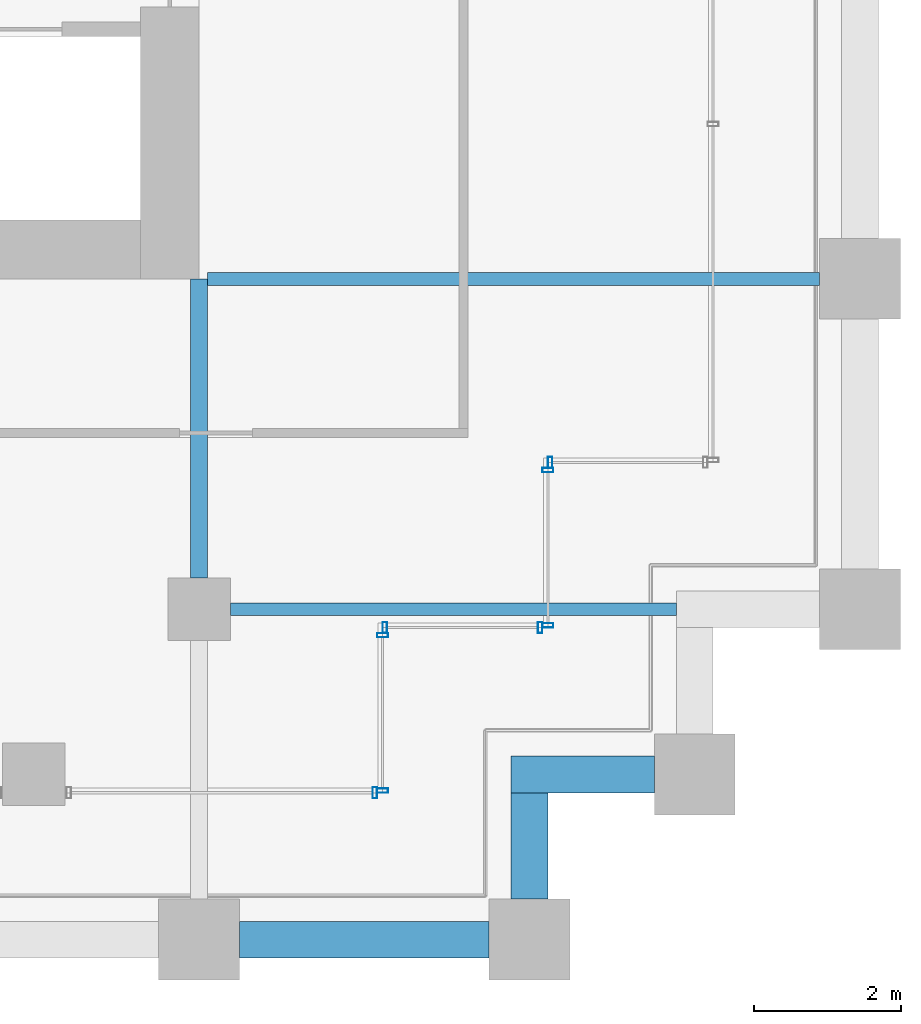
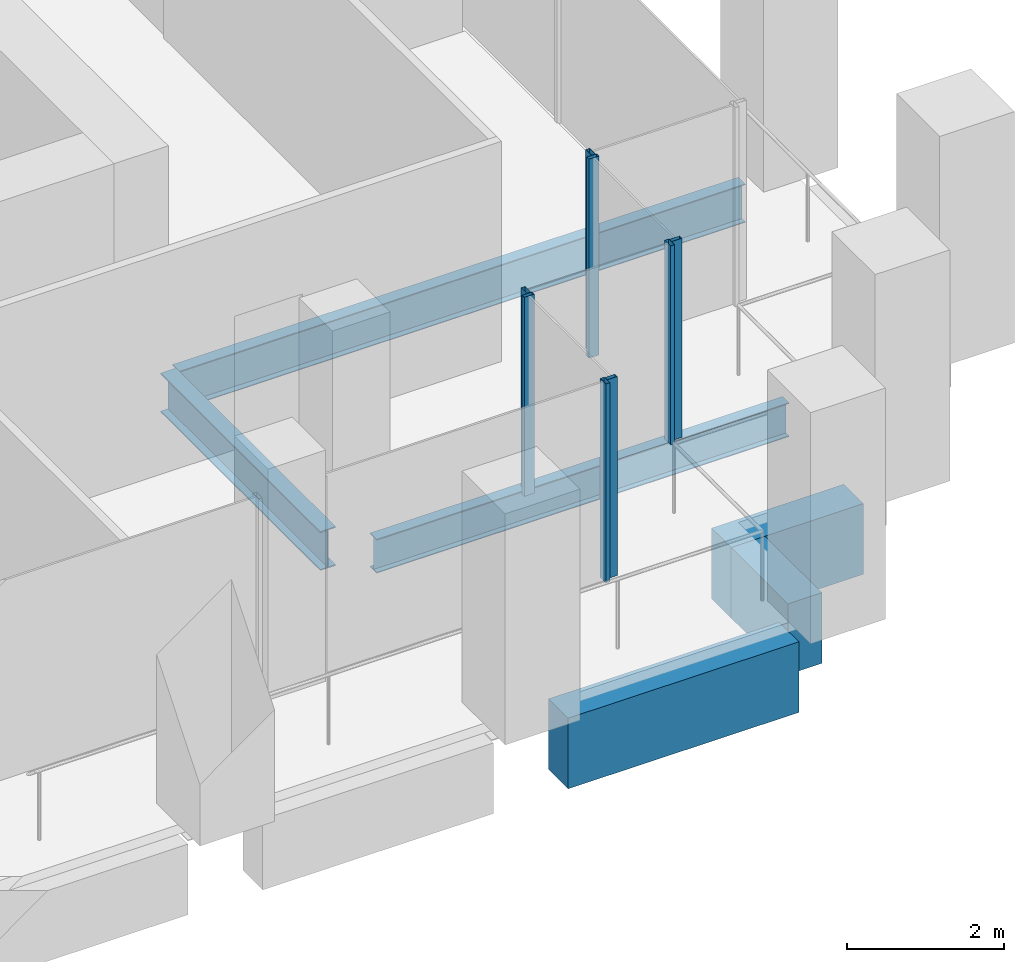
# One storey, part 38 of 56: 8 members, 6 beams, 5 elements without a shape of their own.
"""IFC4 building model written with IfcOpenShell, lengths in metres."""

from ifc_helpers import new_model, si_unit, direction, frame, origin, origin_2d, place, context, subcontext, project, spatial, rectangle, hollow_rectangle, i_section, extrude, material, material_profile, profile_set, type_object, element, aggregate, save


model = new_model("IFC4")

# Units and contexts
model_context = context("Model", 3, precision=1e-05, world=origin(), true_north=direction((0.0, 1.0)))
body_context = subcontext(model_context, "Body", "Model", "MODEL_VIEW")
ifc_project = project(units=[si_unit("LENGTHUNIT", "METRE"), si_unit("AREAUNIT", "SQUARE_METRE"), si_unit("VOLUMEUNIT", "CUBIC_METRE"), si_unit("PLANEANGLEUNIT", "RADIAN"), si_unit("MASSUNIT", "GRAM", prefix="KILO")], contexts=[model_context])

# Site, building, storey
site_placement = place(None, origin())
site = spatial("IfcSite", under=ifc_project, at=site_placement, CompositionType="ELEMENT")
building_placement = place(site_placement, origin())
building = spatial("IfcBuilding", under=site, at=building_placement, Name="Altepetl Exchange Towers", CompositionType="ELEMENT")
storey_placement = place(building_placement, frame((0.0, 0.0, 72.60009765625)))
storey = spatial("IfcBuildingStorey", under=building, at=storey_placement, Name="L17", CompositionType="ELEMENT", Elevation=72.60009765625)

# Beams
ifc_material_1 = material(Name="Steel S355", Category="steel")
ifc_material_profile_1 = material_profile(ifc_material_1, i_section(OverallWidth=0.166015625, OverallDepth=0.529052734375, WebThickness=0.009765625, FlangeThickness=0.013671875, at=origin_2d()), Name="W21X50")
ifc_profile_set_1 = profile_set([ifc_material_profile_1], Name="Steel S355")
beam_type_1 = type_object("IfcBeamType", Name="Floor beam W21X50", PredefinedType="BEAM", material=ifc_profile_set_1)
beam_1_placement = place(storey_placement, frame((117.425048828125, 31.5, -0.41455078125), z_axis=(1.0, 0.0, 0.0), x_axis=(0.0, 1.0, 0.0)))
element("IfcBeam", 1, at=beam_1_placement, inside=storey, type_object=beam_type_1, Name="bm:B:L17:004", PredefinedType="BEAM", context=body_context, shape_type="SweptSolid", body=[
    extrude(i_section(OverallWidth=0.166015625, OverallDepth=0.529052734375, WebThickness=0.009765625, FlangeThickness=0.013671875, at=origin_2d()), origin(), (0.0, 0.0, 1.0), 6.074951171875),
])
ifc_material_profile_2 = material_profile(ifc_material_1, i_section(OverallWidth=0.177978515625, OverallDepth=0.59912109375, WebThickness=0.010009765625, FlangeThickness=0.0126953125, at=origin_2d()), Name="W24X55")
ifc_profile_set_2 = profile_set([ifc_material_profile_2], Name="Steel S355")
beam_type_2 = type_object("IfcBeamType", Name="Floor beam W24X55", PredefinedType="BEAM", material=ifc_profile_set_2)
beam_2_placement = place(storey_placement, frame((117.114013671875, 36.0, -0.44970703125), z_axis=(1.0, 0.0, 0.0), x_axis=(0.0, 1.0, 0.0)))
element("IfcBeam", 2, at=beam_2_placement, inside=storey, type_object=beam_type_2, Name="bm:B:L17:005", PredefinedType="BEAM", context=body_context, shape_type="SweptSolid", body=[
    extrude(i_section(OverallWidth=0.177978515625, OverallDepth=0.59912109375, WebThickness=0.010009765625, FlangeThickness=0.0126953125, at=origin_2d()), origin(), (0.0, 0.0, 1.0), 8.3359375),
])
ifc_material_profile_3 = material_profile(ifc_material_1, i_section(OverallWidth=0.22802734375, OverallDepth=0.60791015625, WebThickness=0.01123046875, FlangeThickness=0.017333984375, at=origin_2d()), Name="W24X76")
ifc_profile_set_3 = profile_set([ifc_material_profile_3], Name="Steel S355")
beam_type_3 = type_object("IfcBeamType", Name="Girder W24X76", PredefinedType="BEAM", material=ifc_profile_set_3)
beam_3_placement = place(storey_placement, frame((117.0, 36.0, -0.4541015625), z_axis=(0.0, -1.0, 0.0), x_axis=(1.0, 0.0, 0.0)))
element("IfcBeam", 3, at=beam_3_placement, inside=storey, type_object=beam_type_3, Name="gd:B:L17:004", PredefinedType="BEAM", context=body_context, shape_type="SweptSolid", body=[
    extrude(i_section(OverallWidth=0.22802734375, OverallDepth=0.60791015625, WebThickness=0.01123046875, FlangeThickness=0.017333984375, at=origin_2d()), origin(), (0.0, 0.0, 1.0), 4.074951171875),
])

# Curtain wall, member
ifc_material_2 = material(Name="Aluminium 6063-T6 glazing", Category="aluminium")
curtain_wall_type = type_object("IfcCurtainWallType", Name="Loggia glazing system", PredefinedType="NOTDEFINED", material=ifc_material_2)
curtain_wall_1_placement = place(storey_placement, origin())
curtain_wall_1 = element("IfcCurtainWall", 4, at=curtain_wall_1_placement, inside=storey, type_object=curtain_wall_type, Name="CW1 run", PredefinedType="NOTDEFINED")
ifc_material_3 = material(Name="Aluminium 6063-T6", Category="aluminium")
ifc_material_profile_4 = material_profile(ifc_material_3, hollow_rectangle(XDim=0.06005859375, YDim=0.14990234375, WallThickness=0.0029296875, at=origin_2d()), Name="Mullion 60x150 aluminium")
ifc_profile_set_4 = profile_set([ifc_material_profile_4], Name="Aluminium 6063-T6")
member_type = type_object("IfcMemberType", Name="Mullion 60x150 aluminium", PredefinedType="MULLION", material=ifc_profile_set_4)
member_1_placement = place(storey_placement, frame((119.39501953125, 29.0, 0.0)))
member_1 = element("IfcMember", 5, at=member_1_placement, type_object=member_type, Name="MU1 mullion", PredefinedType="MULLION", context=body_context, shape_type="SweptSolid", body=[
    extrude(hollow_rectangle(XDim=0.06005859375, YDim=0.14990234375, WallThickness=0.0029296875, at=origin_2d()), origin(), (0.0, 0.0, 1.0), 3.099853515625),
])
aggregate(curtain_wall_1, [member_1])

# Curtain wall, members
curtain_wall_2_placement = place(storey_placement, origin())
curtain_wall_2 = element("IfcCurtainWall", 6, at=curtain_wall_2_placement, inside=storey, type_object=curtain_wall_type, Name="CW1 run", PredefinedType="NOTDEFINED")
member_2_placement = place(storey_placement, frame((119.5, 29.030029296875, 0.0), z_axis=(0.0, 0.0, 1.0), x_axis=(0.0, 1.0, 0.0)))
member_2 = element("IfcMember", 7, at=member_2_placement, type_object=member_type, Name="MU1 mullion", PredefinedType="MULLION", context=body_context, shape_type="SweptSolid", body=[
    extrude(hollow_rectangle(XDim=0.06005859375, YDim=0.14990234375, WallThickness=0.0029296875, at=origin_2d()), origin(), (0.0, 0.0, 1.0), 3.099853515625),
])
member_3_placement = place(storey_placement, frame((119.5, 31.14501953125, 0.0), z_axis=(0.0, 0.0, 1.0), x_axis=(0.0, 1.0, 0.0)))
member_3 = element("IfcMember", 8, at=member_3_placement, type_object=member_type, Name="MU1 mullion", PredefinedType="MULLION", context=body_context, shape_type="SweptSolid", body=[
    extrude(hollow_rectangle(XDim=0.06005859375, YDim=0.14990234375, WallThickness=0.0029296875, at=origin_2d()), origin(), (0.0, 0.0, 1.0), 3.099853515625),
])
aggregate(curtain_wall_2, [member_2, member_3])

curtain_wall_3_placement = place(storey_placement, origin())
curtain_wall_3 = element("IfcCurtainWall", 9, at=curtain_wall_3_placement, inside=storey, type_object=curtain_wall_type, Name="CW1 run", PredefinedType="NOTDEFINED")
member_4_placement = place(storey_placement, frame((119.530029296875, 31.25, 0.0)))
member_4 = element("IfcMember", 10, at=member_4_placement, type_object=member_type, Name="MU1 mullion", PredefinedType="MULLION", context=body_context, shape_type="SweptSolid", body=[
    extrude(hollow_rectangle(XDim=0.06005859375, YDim=0.14990234375, WallThickness=0.0029296875, at=origin_2d()), origin(), (0.0, 0.0, 1.0), 3.099853515625),
])
member_5_placement = place(storey_placement, frame((121.64501953125, 31.25, 0.0)))
member_5 = element("IfcMember", 11, at=member_5_placement, type_object=member_type, Name="MU1 mullion", PredefinedType="MULLION", context=body_context, shape_type="SweptSolid", body=[
    extrude(hollow_rectangle(XDim=0.06005859375, YDim=0.14990234375, WallThickness=0.0029296875, at=origin_2d()), origin(), (0.0, 0.0, 1.0), 3.099853515625),
])
aggregate(curtain_wall_3, [member_4, member_5])

curtain_wall_4_placement = place(storey_placement, origin())
curtain_wall_4 = element("IfcCurtainWall", 12, at=curtain_wall_4_placement, inside=storey, type_object=curtain_wall_type, Name="CW1 run", PredefinedType="NOTDEFINED")
member_6_placement = place(storey_placement, frame((121.75, 31.280029296875, 0.0), z_axis=(0.0, 0.0, 1.0), x_axis=(0.0, 1.0, 0.0)))
member_6 = element("IfcMember", 13, at=member_6_placement, type_object=member_type, Name="MU1 mullion", PredefinedType="MULLION", context=body_context, shape_type="SweptSolid", body=[
    extrude(hollow_rectangle(XDim=0.06005859375, YDim=0.14990234375, WallThickness=0.0029296875, at=origin_2d()), origin(), (0.0, 0.0, 1.0), 3.099853515625),
])
member_7_placement = place(storey_placement, frame((121.75, 33.39501953125, 0.0), z_axis=(0.0, 0.0, 1.0), x_axis=(0.0, 1.0, 0.0)))
member_7 = element("IfcMember", 14, at=member_7_placement, type_object=member_type, Name="MU1 mullion", PredefinedType="MULLION", context=body_context, shape_type="SweptSolid", body=[
    extrude(hollow_rectangle(XDim=0.06005859375, YDim=0.14990234375, WallThickness=0.0029296875, at=origin_2d()), origin(), (0.0, 0.0, 1.0), 3.099853515625),
])
aggregate(curtain_wall_4, [member_6, member_7])

# Curtain wall, member
curtain_wall_5_placement = place(storey_placement, origin())
curtain_wall_5 = element("IfcCurtainWall", 15, at=curtain_wall_5_placement, inside=storey, type_object=curtain_wall_type, Name="CW1 run", PredefinedType="NOTDEFINED")
member_8_placement = place(storey_placement, frame((121.780029296875, 33.5, 0.0)))
member_8 = element("IfcMember", 16, at=member_8_placement, type_object=member_type, Name="MU1 mullion", PredefinedType="MULLION", context=body_context, shape_type="SweptSolid", body=[
    extrude(hollow_rectangle(XDim=0.06005859375, YDim=0.14990234375, WallThickness=0.0029296875, at=origin_2d()), origin(), (0.0, 0.0, 1.0), 3.099853515625),
])
aggregate(curtain_wall_5, [member_8])

# Beams
ifc_material_4 = material(Name="Concrete C50/60 precast with cantera blanca facing", Category="concrete")
ifc_material_profile_5 = material_profile(ifc_material_4, rectangle(XDim=0.5, YDim=1.10009765625, at=origin_2d()), Name="500 x 1100")
ifc_profile_set_5 = profile_set([ifc_material_profile_5], Name="Concrete C50/60 precast with cantera blanca facing")
beam_type_4 = type_object("IfcBeamType", Name="Spandrel beam 500x1100 cantera blanca", PredefinedType="SPANDREL", material=ifc_profile_set_5)
beam_4_placement = place(storey_placement, frame((117.550048828125, 27.0, -0.7001953125), z_axis=(1.0, 0.0, 0.0), x_axis=(0.0, 1.0, 0.0)))
element("IfcBeam", 17, at=beam_4_placement, inside=storey, type_object=beam_type_4, Name="sp:B:L17:004", PredefinedType="SPANDREL", context=body_context, shape_type="SweptSolid", body=[
    extrude(rectangle(XDim=0.5, YDim=1.10009765625, at=origin_2d()), origin(), (0.0, 0.0, 1.0), 3.39990234375),
])
beam_5_placement = place(storey_placement, frame((121.5, 27.550048828125, -0.7001953125), z_axis=(0.0, 1.0, 0.0), x_axis=(-1.0, 0.0, 0.0)))
element("IfcBeam", 18, at=beam_5_placement, inside=storey, type_object=beam_type_4, Name="sp:B:L17:005", PredefinedType="SPANDREL", context=body_context, shape_type="SweptSolid", body=[
    extrude(rectangle(XDim=0.5, YDim=1.10009765625, at=origin_2d()), origin(), (0.0, 0.0, 1.0), 1.449951171875),
])
beam_6_placement = place(storey_placement, frame((121.25, 29.25, -0.7001953125), z_axis=(1.0, 0.0, 0.0), x_axis=(0.0, 1.0, 0.0)))
element("IfcBeam", 19, at=beam_6_placement, inside=storey, type_object=beam_type_4, Name="sp:B:L17:006", PredefinedType="SPANDREL", context=body_context, shape_type="SweptSolid", body=[
    extrude(rectangle(XDim=0.5, YDim=1.10009765625, at=origin_2d()), origin(), (0.0, 0.0, 1.0), 1.949951171875),
])

save(model, "model.ifc")
